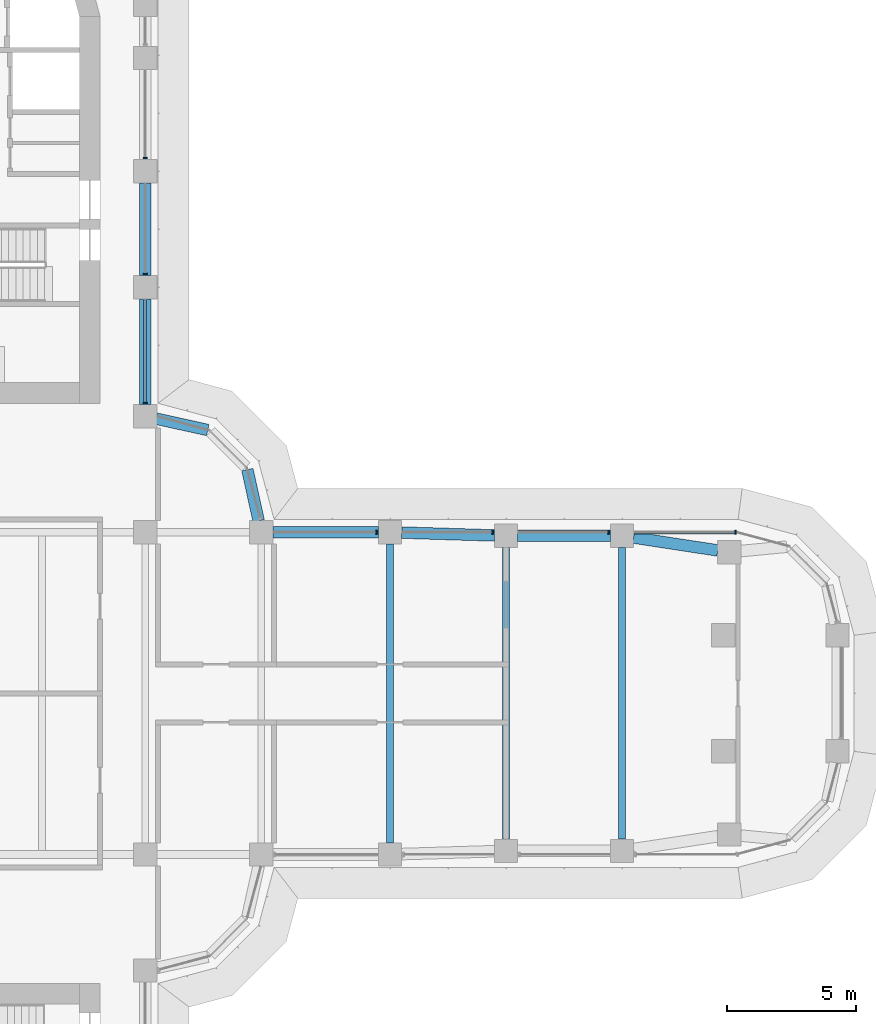
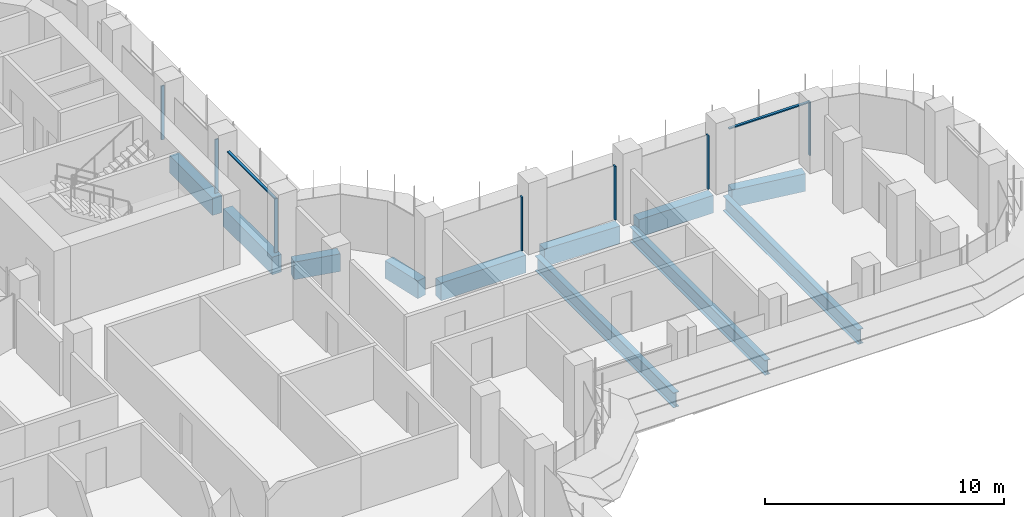
# One storey, part 8 of 22: 11 beams, 9 members, 2 elements without a shape of their own.
"""IFC4 building model written with IfcOpenShell, lengths in metres."""

from ifc_helpers import new_model, si_unit, direction, frame, origin, origin_2d, place, context, subcontext, project, spatial, polyline, rectangle, i_section, outline, extrude, source, transform, mapped, material, material_profile, profile_set, type_object, element, aggregate, save


model = new_model("IFC4")

# Units and contexts
model_context = context("Model", 3, precision=1e-05, world=origin(), true_north=direction((0.0, 1.0)))
body_context = subcontext(model_context, "Body", "Model", "MODEL_VIEW")
ifc_project = project(units=[si_unit("LENGTHUNIT", "METRE"), si_unit("AREAUNIT", "SQUARE_METRE"), si_unit("VOLUMEUNIT", "CUBIC_METRE"), si_unit("PLANEANGLEUNIT", "RADIAN"), si_unit("MASSUNIT", "GRAM", prefix="KILO")], contexts=[model_context])

# Site, building, storey
site_placement = place(None, origin())
site = spatial("IfcSite", under=ifc_project, at=site_placement, CompositionType="ELEMENT")
building_placement = place(site_placement, origin())
building = spatial("IfcBuilding", under=site, at=building_placement, Name="Zarbagh Exchange Tower", CompositionType="ELEMENT")
storey_placement = place(building_placement, frame((0.0, 0.0, 105.60009765625)))
storey = spatial("IfcBuildingStorey", under=building, at=storey_placement, Name="L24", CompositionType="ELEMENT", Elevation=105.60009765625)

# Beams
ifc_material_1 = material(Name="Steel ASTM A992 Gr 50", Category="steel")
ifc_material_profile_1 = material_profile(ifc_material_1, i_section(OverallWidth=0.2666015625, OverallDepth=0.7568359375, WebThickness=0.013916015625, FlangeThickness=0.019287109375, at=origin_2d()), Name="W30X108")
ifc_profile_set_1 = profile_set([ifc_material_profile_1], Name="Steel ASTM A992 Gr 50")
beam_type_1 = type_object("IfcBeamType", Name="Floor beam W30X108", PredefinedType="BEAM", material=ifc_profile_set_1)
beam_1_placement = place(storey_placement, frame((15.75, -5.800048828125, -0.528564453125), z_axis=(0.0, 1.0, 0.0), x_axis=(-1.0, 0.0, 0.0)))
element("IfcBeam", 1, at=beam_1_placement, inside=storey, type_object=beam_type_1, Name="Steel floor beam", PredefinedType="BEAM", context=body_context, shape_type="SweptSolid", body=[
    extrude(i_section(OverallWidth=0.2666015625, OverallDepth=0.7568359375, WebThickness=0.013916015625, FlangeThickness=0.019287109375, at=origin_2d()), origin(), (0.0, 0.0, 1.0), 11.60009765625),
])
for number, where, z_axis, x_axis, name in (
    (2, (20.25, -5.659912109375, -0.528564453125), (0.0, 1.0, 0.0), (-1.0, 0.0, 0.0), "Steel floor beam"),
    (3, (24.75, -5.659912109375, -0.528564453125), (0.0, 1.0, 0.0), (-1.0, 0.0, 0.0), "Steel floor beam"),
):
    element("IfcBeam", number, at=place(storey_placement, frame(where, z_axis=z_axis, x_axis=x_axis)), inside=storey, type_object=beam_type_1, Name=name, PredefinedType="BEAM", context=body_context, shape_type="SweptSolid", body=[
        extrude(i_section(OverallWidth=0.2666015625, OverallDepth=0.7568359375, WebThickness=0.013916015625, FlangeThickness=0.019287109375, at=origin_2d()), origin(), (0.0, 0.0, 1.0), 11.31982421875),
    ])
ifc_material_2 = material(Name="Concrete C60/75", Category="concrete")
ifc_material_profile_2 = material_profile(ifc_material_2, rectangle(XDim=0.449951171875, YDim=0.89990234375, at=origin_2d()), Name="RC spandrel beam 450 x 900 C60/75")
ifc_profile_set_2 = profile_set([ifc_material_profile_2], Name="Concrete C60/75")
beam_type_2 = type_object("IfcBeamType", Name="RC spandrel beam 450 x 900 C60/75", PredefinedType="SPANDREL", material=ifc_profile_set_2)
beam_2_placement = place(storey_placement, frame((6.25, 19.800048828125, -0.60009765625), z_axis=(0.0, -1.0, 0.0), x_axis=(1.0, 0.0, 0.0)))
element("IfcBeam", 4, at=beam_2_placement, inside=storey, type_object=beam_type_2, Name="RC spandrel beam", PredefinedType="SPANDREL", context=body_context, shape_type="SweptSolid", body=[
    extrude(rectangle(XDim=0.449951171875, YDim=0.89990234375, at=origin_2d()), origin(), (0.0, 0.0, 1.0), 3.60009765625),
])
beam_3_placement = place(storey_placement, frame((6.25, 15.300048828125, -0.60009765625), z_axis=(0.0, -1.0, 0.0), x_axis=(1.0, 0.0, 0.0)))
element("IfcBeam", 5, at=beam_3_placement, inside=storey, type_object=beam_type_2, Name="RC spandrel beam", PredefinedType="SPANDREL", context=body_context, shape_type="SweptSolid", body=[
    extrude(rectangle(XDim=0.449951171875, YDim=0.89990234375, at=origin_2d()), origin(), (0.0, 0.0, 1.0), 4.10009765625),
])
for number, where, z_axis, x_axis, name in (
    (6, (6.689453125, 10.65283203125, -0.60009765625), (0.976367325525, -0.216117666208, 0.0), (0.216117666208, 0.976367325525, 0.0), "RC spandrel beam"),
    (7, (10.212890625, 8.677001953125, -0.60009765625), (0.216117666208, -0.976367325525, 0.0), (0.976367325525, 0.216117666208, 0.0), "RC spandrel beam"),
):
    element("IfcBeam", number, at=place(storey_placement, frame(where, z_axis=z_axis, x_axis=x_axis)), inside=storey, type_object=beam_type_2, Name=name, PredefinedType="SPANDREL", context=body_context, shape_type="SweptSolid", body=[
        extrude(rectangle(XDim=0.449951171875, YDim=0.89990234375, at=origin_2d()), origin(), (0.0, 0.0, 1.0), 2.03564453125),
    ])
beam_4_placement = place(storey_placement, frame((11.199951171875, 6.25, -0.60009765625), z_axis=(1.0, 0.0, 0.0), x_axis=(0.0, 1.0, 0.0)))
element("IfcBeam", 8, at=beam_4_placement, inside=storey, type_object=beam_type_2, Name="RC spandrel beam", PredefinedType="SPANDREL", context=body_context, shape_type="SweptSolid", body=[
    extrude(rectangle(XDim=0.449951171875, YDim=0.89990234375, at=origin_2d()), origin(), (0.0, 0.0, 1.0), 4.10009765625),
])
beam_5_placement = place(storey_placement, frame((16.19970703125, 6.236083984375, -0.60009765625), z_axis=(0.999516035224, -0.031107801747, 0.0), x_axis=(0.031107801747, 0.999516035224, 0.0)))
element("IfcBeam", 9, at=beam_5_placement, inside=storey, type_object=beam_type_2, Name="RC spandrel beam", PredefinedType="SPANDREL", context=body_context, shape_type="SweptSolid", body=[
    extrude(rectangle(XDim=0.449951171875, YDim=0.89990234375, at=origin_2d()), origin(), (0.0, 0.0, 1.0), 3.602294921875),
])
beam_6_placement = place(storey_placement, frame((20.699951171875, 6.110107421875, -0.60009765625), z_axis=(1.0, 0.0, 0.0), x_axis=(0.0, 1.0, 0.0)))
element("IfcBeam", 10, at=beam_6_placement, inside=storey, type_object=beam_type_2, Name="RC spandrel beam", PredefinedType="SPANDREL", context=body_context, shape_type="SweptSolid", body=[
    extrude(rectangle(XDim=0.449951171875, YDim=0.89990234375, at=origin_2d()), origin(), (0.0, 0.0, 1.0), 3.60009765625),
])
beam_7_placement = place(storey_placement, frame((25.19482421875, 6.0419921875, -0.60009765625), z_axis=(0.988543505948, -0.150936201252, 0.0), x_axis=(0.150936201252, 0.988543505948, 0.0)))
element("IfcBeam", 11, at=beam_7_placement, inside=storey, type_object=beam_type_2, Name="RC spandrel beam", PredefinedType="SPANDREL", context=body_context, shape_type="SweptSolid", body=[
    extrude(rectangle(XDim=0.449951171875, YDim=0.89990234375, at=origin_2d()), origin(), (0.0, 0.0, 1.0), 3.30615234375),
])

# Curtain wall, members
ifc_material_3 = material(Name="Anodised aluminium frame and glazing", Category="aluminium")
curtain_wall_type = type_object("IfcCurtainWallType", Name="CWA Ribbon glazing, lower zones", PredefinedType="NOTDEFINED", material=ifc_material_3)
curtain_wall_1_placement = place(storey_placement, origin())
curtain_wall_1 = element("IfcCurtainWall", 12, at=curtain_wall_1_placement, inside=storey, type_object=curtain_wall_type, Name="CWA16 curtain wall", PredefinedType="NOTDEFINED")
ifc_material_4 = material(Name="Anodised aluminium frame", Category="aluminium")
member_type_1 = type_object("IfcMemberType", Name="MUA Mullion, anodised aluminium frame", PredefinedType="MULLION", material=ifc_material_4)
shared_shape_1 = source(origin(), body_context, "Body", "SweptSolid", [
    extrude(outline(polyline([(0.0, -0.080078125), (0.06005859375, -0.080078125), (0.06005859375, 0.080078125), (0.0, 0.080078125), (0.0, -0.080078125)])), origin(), (0.0, 0.0, 1.0), 2.75),
])
placement = place(storey_placement, origin())
member_1 = element("IfcMember", 13, at=placement, type_object=member_type_1, Name="CWA16 mullion 1.1", PredefinedType="MULLION", context=body_context, shape_type="MappedRepresentation", body=[
    mapped(shared_shape_1, transform((29.18408203125, 6.25, 0.0), x_axis=(-1.0, 0.0, 0.0), y_axis=(0.0, -1.0, 0.0), z_axis=(0.0, 0.0, 1.0))),
])
member_2 = element("IfcMember", 14, at=placement, type_object=member_type_1, Name="CWA16 mullion 2.1", PredefinedType="MULLION", context=body_context, shape_type="MappedRepresentation", body=[
    mapped(shared_shape_1, transform((24.260009765625, 6.25, 0.0), x_axis=(-1.0, 0.0, 0.0), y_axis=(0.0, -1.0, 0.0), z_axis=(0.0, 0.0, 1.0))),
])
member_3 = element("IfcMember", 15, at=placement, type_object=member_type_1, Name="CWA16 mullion 3.1", PredefinedType="MULLION", context=body_context, shape_type="MappedRepresentation", body=[
    mapped(shared_shape_1, transform((19.760009765625, 6.25, 0.0), x_axis=(-1.0, 0.0, 0.0), y_axis=(0.0, -1.0, 0.0), z_axis=(0.0, 0.0, 1.0))),
])
member_4 = element("IfcMember", 16, at=placement, type_object=member_type_1, Name="CWA16 mullion 4.1", PredefinedType="MULLION", context=body_context, shape_type="MappedRepresentation", body=[
    mapped(shared_shape_1, transform((15.260009765625, 6.25, 0.0), x_axis=(-1.0, 0.0, 0.0), y_axis=(0.0, -1.0, 0.0), z_axis=(0.0, 0.0, 1.0))),
])

curtain_wall_2_placement = place(storey_placement, origin())
curtain_wall_2 = element("IfcCurtainWall", 17, at=curtain_wall_2_placement, inside=storey, type_object=curtain_wall_type, Name="CWA49 curtain wall", PredefinedType="NOTDEFINED")
member_5 = element("IfcMember", 18, at=placement, type_object=member_type_1, Name="CWA49 mullion 1.1", PredefinedType="MULLION", context=body_context, shape_type="MappedRepresentation", body=[
    mapped(shared_shape_1, transform((6.25, 11.239990234375, 0.0), x_axis=(0.0, 1.0, 0.0), y_axis=(-1.0, 0.0, 0.0), z_axis=(0.0, 0.0, 1.0))),
])
member_6 = element("IfcMember", 19, at=placement, type_object=member_type_1, Name="CWA49 mullion 2.1", PredefinedType="MULLION", context=body_context, shape_type="MappedRepresentation", body=[
    mapped(shared_shape_1, transform((6.25, 16.239990234375, 0.0), x_axis=(0.0, 1.0, 0.0), y_axis=(-1.0, 0.0, 0.0), z_axis=(0.0, 0.0, 1.0))),
])
member_7 = element("IfcMember", 20, at=placement, type_object=member_type_1, Name="CWA49 mullion 3.1", PredefinedType="MULLION", context=body_context, shape_type="MappedRepresentation", body=[
    mapped(shared_shape_1, transform((6.25, 20.739990234375, 0.0), x_axis=(0.0, 1.0, 0.0), y_axis=(-1.0, 0.0, 0.0), z_axis=(0.0, 0.0, 1.0))),
])
member_type_2 = type_object("IfcMemberType", Name="TRA Transom, anodised aluminium frame", PredefinedType="USERDEFINED", material=ifc_material_4)
shared_shape_2 = source(origin(), body_context, "Body", "SweptSolid", [
    extrude(outline(polyline([(-0.06005859375, -0.06005859375), (0.0, -0.06005859375), (0.0, 0.06005859375), (-0.06005859375, 0.06005859375), (-0.06005859375, -0.06005859375)])), origin(), (0.0, 0.0, 1.0), 3.9599609375),
])
member_8 = element("IfcMember", 21, at=placement, type_object=member_type_2, Name="CWA49 transom 1.1", ObjectType="TRANSOM", PredefinedType="USERDEFINED", context=body_context, shape_type="MappedRepresentation", body=[
    mapped(shared_shape_2, transform((6.25, 11.300048828125, 2.75), x_axis=(0.0, 0.0, 1.0), y_axis=(1.0, 0.0, 0.0), z_axis=(0.0, 1.0, 0.0))),
])
aggregate(curtain_wall_2, [member_5, member_8, member_6, member_7])

# Member
shared_shape_3 = source(origin(), body_context, "Body", "SweptSolid", [
    extrude(outline(polyline([(-0.06005859375, -0.06005859375), (0.0, -0.06005859375), (0.0, 0.06005859375), (-0.06005859375, 0.06005859375), (-0.06005859375, -0.06005859375)])), origin(), (0.0, 0.0, 1.0), 3.88427734375),
])
member_9 = element("IfcMember", 22, at=placement, type_object=member_type_2, Name="CWA16 transom 1.1", ObjectType="TRANSOM", PredefinedType="USERDEFINED", context=body_context, shape_type="MappedRepresentation", body=[
    mapped(shared_shape_3, transform((29.124267578125, 6.25, 2.75), x_axis=(0.0, 0.0, 1.0), y_axis=(0.0, 1.0, 0.0), z_axis=(-1.0, 0.0, 0.0))),
])

aggregate(curtain_wall_1, [member_1, member_9, member_2, member_3, member_4])

save(model, "model.ifc")
